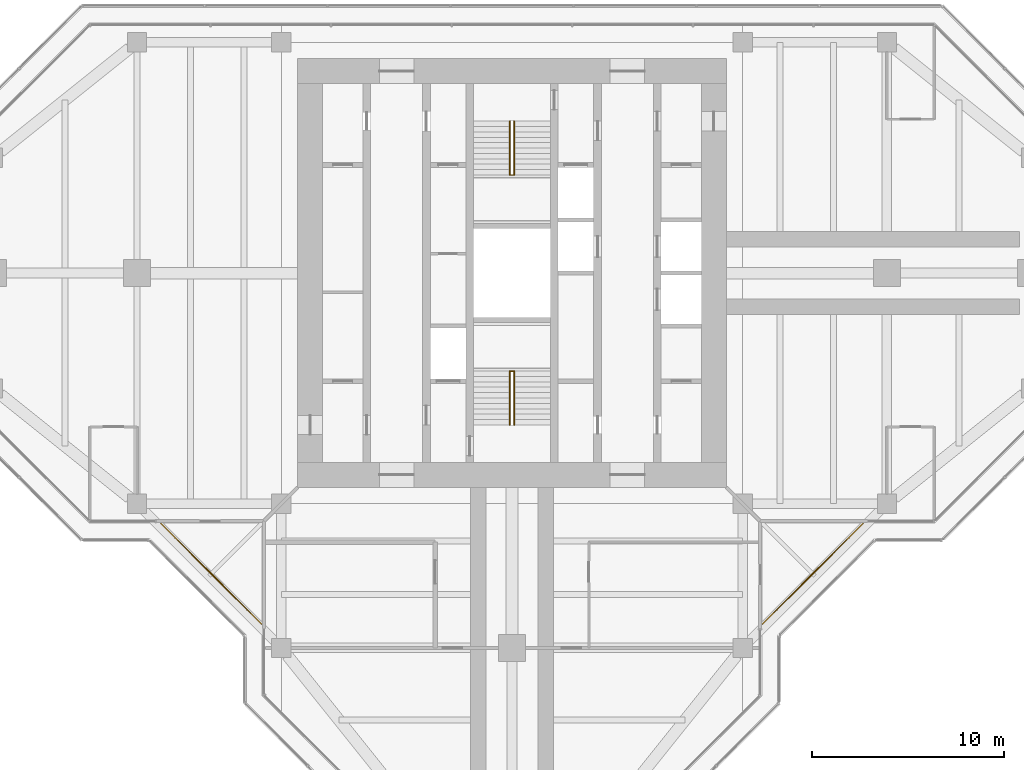
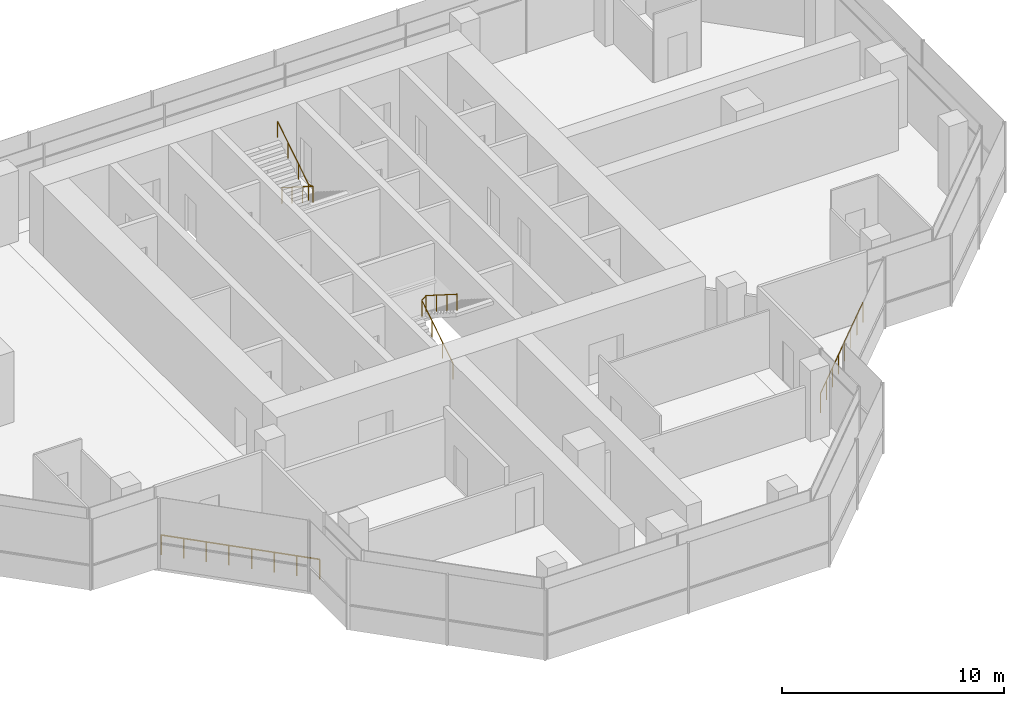
# One storey, part 15 of 15: 4 railings.
"""IFC4 building model written with IfcOpenShell, lengths in metres."""

from ifc_helpers import new_model, si_unit, direction, frame, origin, origin_2d, place, context, subcontext, project, spatial, circle, extrude, material, type_object, element, save


model = new_model("IFC4")

# Units and contexts
model_context = context("Model", 3, precision=1e-05, world=origin(), true_north=direction((0.0, 1.0)))
body_context = subcontext(model_context, "Body", "Model", "MODEL_VIEW")
ifc_project = project(units=[si_unit("LENGTHUNIT", "METRE"), si_unit("AREAUNIT", "SQUARE_METRE"), si_unit("VOLUMEUNIT", "CUBIC_METRE"), si_unit("PLANEANGLEUNIT", "RADIAN"), si_unit("MASSUNIT", "GRAM", prefix="KILO")], contexts=[model_context])

# Site, building, storey
site_placement = place(None, origin())
site = spatial("IfcSite", under=ifc_project, at=site_placement, CompositionType="ELEMENT")
building_placement = place(site_placement, origin())
building = spatial("IfcBuilding", under=site, at=building_placement, Name="Mizan Broadcast Tower", CompositionType="ELEMENT")
storey_placement = place(building_placement, frame((0.0, 0.0, 282.89990234375)))
storey = spatial("IfcBuildingStorey", under=building, at=storey_placement, Name="L67", CompositionType="ELEMENT", Elevation=282.89990234375)

# Railings
ifc_material_1 = material(Name="Stainless steel and glass guard", Category="steel")
railing_type_1 = type_object("IfcRailingType", Name="GUARD 1100", PredefinedType="GUARDRAIL", material=ifc_material_1)
railing_1_placement = place(storey_placement, frame((-18.2578125, -13.030029296875, 0.0)))
element("IfcRailing", 1, at=railing_1_placement, inside=storey, type_object=railing_type_1, Name="Winter garden guard L67 W", PredefinedType="GUARDRAIL", context=body_context, shape_type="SweptSolid", body=[
    extrude(circle(Radius=0.02392578125, at=origin_2d()), frame((0.0, 0.0, 1.076171875), z_axis=(0.707106781187, -0.707106781187, 0.0), x_axis=(0.707106781187, 0.707106781187, 0.0)), (0.0, 0.0, 1.0), 7.393310546875),
    extrude(circle(Radius=0.02099609375, at=origin_2d()), origin(), (0.0, 0.0, 1.0), 1.052001953125),
    extrude(circle(Radius=0.02099609375, at=origin_2d()), frame((0.746826171875, -0.746826171875, 0.0)), (0.0, 0.0, 1.0), 1.052001953125),
    extrude(circle(Radius=0.02099609375, at=origin_2d()), frame((1.49365234375, -1.49365234375, 0.0)), (0.0, 0.0, 1.0), 1.052001953125),
    extrude(circle(Radius=0.02099609375, at=origin_2d()), frame((2.240478515625, -2.240478515625, 0.0)), (0.0, 0.0, 1.0), 1.052001953125),
    extrude(circle(Radius=0.02099609375, at=origin_2d()), frame((2.9873046875, -2.9873046875, 0.0)), (0.0, 0.0, 1.0), 1.052001953125),
    extrude(circle(Radius=0.02099609375, at=origin_2d()), frame((3.734130859375, -3.734130859375, 0.0)), (0.0, 0.0, 1.0), 1.052001953125),
    extrude(circle(Radius=0.02099609375, at=origin_2d()), frame((4.48095703125, -4.48095703125, 0.0)), (0.0, 0.0, 1.0), 1.052001953125),
    extrude(circle(Radius=0.02099609375, at=origin_2d()), frame((5.227783203125, -5.227783203125, 0.0)), (0.0, 0.0, 1.0), 1.052001953125),
])
railing_2_placement = place(storey_placement, frame((13.030029296875, -18.2578125, 0.0)))
element("IfcRailing", 2, at=railing_2_placement, inside=storey, type_object=railing_type_1, Name="Winter garden guard L67 S", PredefinedType="GUARDRAIL", context=body_context, shape_type="SweptSolid", body=[
    extrude(circle(Radius=0.02392578125, at=origin_2d()), frame((0.0, 0.0, 1.076171875), z_axis=(0.707106781187, 0.707106781187, 0.0), x_axis=(-0.707106781187, 0.707106781187, 0.0)), (0.0, 0.0, 1.0), 7.393310546875),
    extrude(circle(Radius=0.02099609375, at=origin_2d()), origin(), (0.0, 0.0, 1.0), 1.052001953125),
    extrude(circle(Radius=0.02099609375, at=origin_2d()), frame((0.746826171875, 0.746826171875, 0.0)), (0.0, 0.0, 1.0), 1.052001953125),
    extrude(circle(Radius=0.02099609375, at=origin_2d()), frame((1.49365234375, 1.49365234375, 0.0)), (0.0, 0.0, 1.0), 1.052001953125),
    extrude(circle(Radius=0.02099609375, at=origin_2d()), frame((2.240478515625, 2.240478515625, 0.0)), (0.0, 0.0, 1.0), 1.052001953125),
    extrude(circle(Radius=0.02099609375, at=origin_2d()), frame((2.9873046875, 2.9873046875, 0.0)), (0.0, 0.0, 1.0), 1.052001953125),
    extrude(circle(Radius=0.02099609375, at=origin_2d()), frame((3.734130859375, 3.734130859375, 0.0)), (0.0, 0.0, 1.0), 1.052001953125),
    extrude(circle(Radius=0.02099609375, at=origin_2d()), frame((4.48095703125, 4.48095703125, 0.0)), (0.0, 0.0, 1.0), 1.052001953125),
    extrude(circle(Radius=0.02099609375, at=origin_2d()), frame((5.227783203125, 5.227783203125, 0.0)), (0.0, 0.0, 1.0), 1.052001953125),
])
ifc_material_2 = material(Name="Stainless steel", Category="steel")
railing_type_2 = type_object("IfcRailingType", Name="HANDRAIL 50", PredefinedType="HANDRAIL", material=ifc_material_2)
railing_3_placement = place(storey_placement, frame((-0.110107421875, -7.89990234375, 0.177490234375)))
element("IfcRailing", 3, at=railing_3_placement, inside=storey, type_object=railing_type_2, Name="Stair A handrail", PredefinedType="HANDRAIL", context=body_context, shape_type="SweptSolid", body=[
    extrude(circle(Radius=0.02392578125, at=origin_2d()), frame((0.0, 0.0, 0.8759765625), z_axis=(0.0, 0.844887892834, 0.53494340686), x_axis=(-1.0, 0.0, 0.0)), (0.0, 0.0, 1.0), 3.313720703125),
    extrude(circle(Radius=0.02392578125, at=origin_2d()), frame((0.0, 2.7998046875, 2.6484375), z_axis=(0.779011685263, 0.0, 0.627009405212), x_axis=(0.0, 1.0, 0.0)), (0.0, 0.0, 1.0), 0.28271484375),
    extrude(circle(Radius=0.02392578125, at=origin_2d()), frame((0.22021484375, 2.7998046875, 2.82568359375), z_axis=(0.0, -0.844887892834, 0.53494340686), x_axis=(1.0, 0.0, 0.0)), (0.0, 0.0, 1.0), 3.313720703125),
    extrude(circle(Radius=0.02099609375, at=origin_2d()), origin(), (0.0, 0.0, 1.0), 0.851806640625),
    extrude(circle(Radius=0.02099609375, at=origin_2d()), frame((0.0, 0.933349609375, 0.5908203125)), (0.0, 0.0, 1.0), 0.851806640625),
    extrude(circle(Radius=0.02099609375, at=origin_2d()), frame((0.0, 1.866455078125, 1.181884765625)), (0.0, 0.0, 1.0), 0.851806640625),
    extrude(circle(Radius=0.02099609375, at=origin_2d()), frame((0.0, 2.7998046875, 1.772705078125)), (0.0, 0.0, 1.0), 0.851806640625),
    extrude(circle(Radius=0.02099609375, at=origin_2d()), frame((0.22021484375, 2.7998046875, 1.949951171875)), (0.0, 0.0, 1.0), 0.851806640625),
    extrude(circle(Radius=0.02099609375, at=origin_2d()), frame((0.22021484375, 1.866455078125, 2.540771484375)), (0.0, 0.0, 1.0), 0.851806640625),
    extrude(circle(Radius=0.02099609375, at=origin_2d()), frame((0.22021484375, 0.933349609375, 3.1318359375)), (0.0, 0.0, 1.0), 0.851806640625),
    extrude(circle(Radius=0.02099609375, at=origin_2d()), frame((0.22021484375, 0.0, 3.72265625)), (0.0, 0.0, 1.0), 0.851806640625),
])
railing_4_placement = place(storey_placement, frame((0.110107421875, 7.89990234375, 0.177490234375)))
element("IfcRailing", 4, at=railing_4_placement, inside=storey, type_object=railing_type_2, Name="Stair B handrail", PredefinedType="HANDRAIL", context=body_context, shape_type="SweptSolid", body=[
    extrude(circle(Radius=0.02392578125, at=origin_2d()), frame((0.0, 0.0, 0.8759765625), z_axis=(0.0, -0.844887892834, 0.53494340686), x_axis=(1.0, 0.0, 0.0)), (0.0, 0.0, 1.0), 3.313720703125),
    extrude(circle(Radius=0.02392578125, at=origin_2d()), frame((0.0, -2.7998046875, 2.6484375), z_axis=(-0.779011685263, 0.0, 0.627009405212), x_axis=(0.0, -1.0, 0.0)), (0.0, 0.0, 1.0), 0.28271484375),
    extrude(circle(Radius=0.02392578125, at=origin_2d()), frame((-0.22021484375, -2.7998046875, 2.82568359375), z_axis=(0.0, 0.844887892834, 0.53494340686), x_axis=(-1.0, 0.0, 0.0)), (0.0, 0.0, 1.0), 3.313720703125),
    extrude(circle(Radius=0.02099609375, at=origin_2d()), origin(), (0.0, 0.0, 1.0), 0.851806640625),
    extrude(circle(Radius=0.02099609375, at=origin_2d()), frame((0.0, -0.933349609375, 0.5908203125)), (0.0, 0.0, 1.0), 0.851806640625),
    extrude(circle(Radius=0.02099609375, at=origin_2d()), frame((0.0, -1.866455078125, 1.181884765625)), (0.0, 0.0, 1.0), 0.851806640625),
    extrude(circle(Radius=0.02099609375, at=origin_2d()), frame((0.0, -2.7998046875, 1.772705078125)), (0.0, 0.0, 1.0), 0.851806640625),
    extrude(circle(Radius=0.02099609375, at=origin_2d()), frame((-0.22021484375, -2.7998046875, 1.949951171875)), (0.0, 0.0, 1.0), 0.851806640625),
    extrude(circle(Radius=0.02099609375, at=origin_2d()), frame((-0.22021484375, -1.866455078125, 2.540771484375)), (0.0, 0.0, 1.0), 0.851806640625),
    extrude(circle(Radius=0.02099609375, at=origin_2d()), frame((-0.22021484375, -0.933349609375, 3.1318359375)), (0.0, 0.0, 1.0), 0.851806640625),
    extrude(circle(Radius=0.02099609375, at=origin_2d()), frame((-0.22021484375, 0.0, 3.72265625)), (0.0, 0.0, 1.0), 0.851806640625),
])

save(model, "model.ifc")
